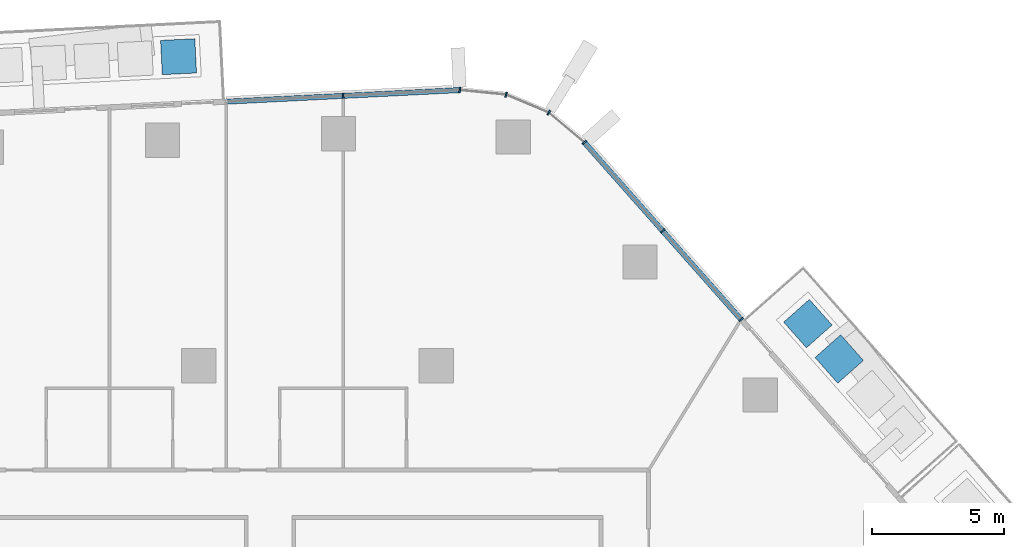
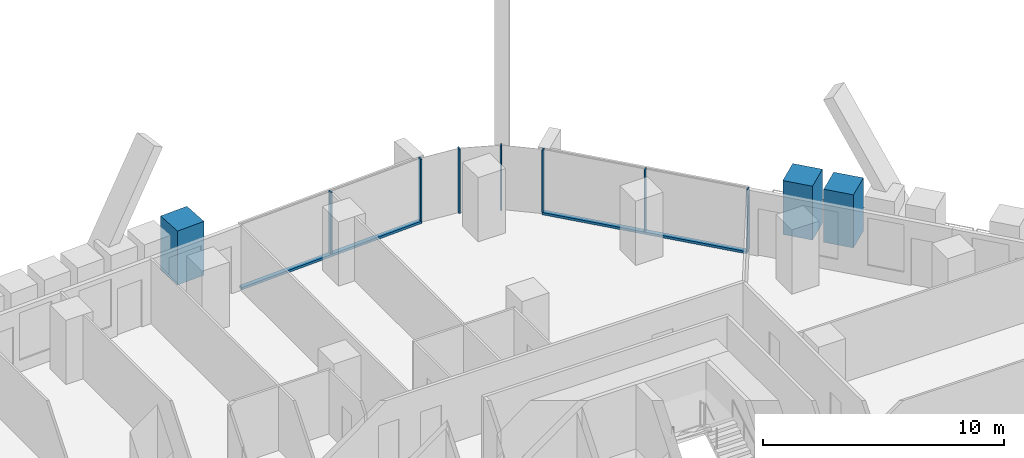
# One storey, part 8 of 26: 12 members, 3 elements without a shape of their own.
"""IFC4 building model written with IfcOpenShell, lengths in metres."""

from ifc_helpers import new_model, si_unit, direction, frame, origin, origin_2d, place, context, subcontext, project, spatial, rectangle, extrude, material, layer, layer_set, material_profile, profile_set, type_object, element, aggregate, save


model = new_model("IFC4")

# Units and contexts
model_context = context("Model", 3, precision=1e-05, world=origin(), true_north=direction((0.0, 1.0)))
body_context = subcontext(model_context, "Body", "Model", "MODEL_VIEW")
ifc_project = project(units=[si_unit("LENGTHUNIT", "METRE"), si_unit("AREAUNIT", "SQUARE_METRE"), si_unit("VOLUMEUNIT", "CUBIC_METRE"), si_unit("PLANEANGLEUNIT", "RADIAN"), si_unit("MASSUNIT", "GRAM", prefix="KILO")], contexts=[model_context])

# Site, building, storey
site_placement = place(None, origin())
site = spatial("IfcSite", under=ifc_project, at=site_placement, CompositionType="ELEMENT")
building_placement = place(site_placement, origin())
building = spatial("IfcBuilding", under=site, at=building_placement, Name="Dongbaek Canopy Tower", CompositionType="ELEMENT")
storey_placement = place(building_placement, frame((0.0, 0.0, 95.199951171875)))
storey = spatial("IfcBuildingStorey", under=building, at=storey_placement, Name="L19", CompositionType="ELEMENT", Elevation=95.199951171875)

# Curtain wall, members
ifc_material_1 = material(Name="Aluminium 6063-T6 pale anodised", Category="aluminium")
ifc_layer = layer(ifc_material_1, 0.199951171875)
ifc_layer_set = layer_set([ifc_layer], Name="CW-1 unitised tower curtain wall")
curtain_wall_type = type_object("IfcCurtainWallType", Name="CW-1 unitised tower curtain wall", PredefinedType="NOTDEFINED", material=ifc_layer_set)
curtain_wall_1_placement = place(storey_placement, origin())
curtain_wall_1 = element("IfcCurtainWall", 1, at=curtain_wall_1_placement, inside=storey, type_object=curtain_wall_type, Name="CW-1 curtain wall F0.1", PredefinedType="NOTDEFINED")
ifc_material_2 = material(Name="Aluminium 6063-T6 pale anodised", Category="aluminium")
ifc_material_profile_1 = material_profile(ifc_material_2, rectangle(XDim=0.199951171875, YDim=0.06005859375, at=origin_2d()), Name="CW-1 mullion 60 x 200")
ifc_profile_set_1 = profile_set([ifc_material_profile_1], Name="Aluminium 6063-T6 pale anodised")
member_type_1 = type_object("IfcMemberType", Name="CW-1 mullion 60 x 200", PredefinedType="MULLION", material=ifc_profile_set_1)
member_1_placement = place(storey_placement, frame((20.55322265625, 19.75830078125, 0.1201171875), z_axis=(0.0, 0.0, 1.0), x_axis=(0.748748761505, 0.662853899547, 0.0)))
member_1 = element("IfcMember", 2, at=member_1_placement, type_object=member_type_1, Name="CW-1 mullion F0.1.1", PredefinedType="MULLION", context=body_context, shape_type="SweptSolid", body=[
    extrude(rectangle(XDim=0.199951171875, YDim=0.06005859375, at=origin_2d()), origin(), (0.0, 0.0, 1.0), 3.1298828125),
])
member_2_placement = place(storey_placement, frame((17.58251953125, 23.1142578125, 0.1201171875), z_axis=(0.0, 0.0, 1.0), x_axis=(0.748748761505, 0.662853899547, 0.0)))
member_2 = element("IfcMember", 3, at=member_2_placement, type_object=member_type_1, Name="CW-1 mullion F0.1.2", PredefinedType="MULLION", context=body_context, shape_type="SweptSolid", body=[
    extrude(rectangle(XDim=0.199951171875, YDim=0.06005859375, at=origin_2d()), origin(), (0.0, 0.0, 1.0), 3.1298828125),
])
member_3_placement = place(storey_placement, frame((14.616455078125, 26.46435546875, 0.1201171875), z_axis=(0.0, 0.0, 1.0), x_axis=(0.748748761505, 0.662853899547, 0.0)))
member_3 = element("IfcMember", 4, at=member_3_placement, type_object=member_type_1, Name="CW-1 mullion F0.1.3", PredefinedType="MULLION", context=body_context, shape_type="SweptSolid", body=[
    extrude(rectangle(XDim=0.199951171875, YDim=0.06005859375, at=origin_2d()), origin(), (0.0, 0.0, 1.0), 3.1298828125),
])

curtain_wall_2_placement = place(storey_placement, origin())
curtain_wall_2 = element("IfcCurtainWall", 5, at=curtain_wall_2_placement, inside=storey, type_object=curtain_wall_type, Name="CW-1 curtain wall K1.1", PredefinedType="NOTDEFINED")
member_4_placement = place(storey_placement, frame((13.26513671875, 27.595458984375, 0.0), z_axis=(0.0, 0.0, 1.0), x_axis=(0.52063580257, 0.853778871302, 0.0)))
member_4 = element("IfcMember", 6, at=member_4_placement, type_object=member_type_1, Name="CW-1 mullion K1.1.2", PredefinedType="MULLION", context=body_context, shape_type="SweptSolid", body=[
    extrude(rectangle(XDim=0.199951171875, YDim=0.06005859375, at=origin_2d()), origin(), (0.0, 0.0, 1.0), 3.25),
])
member_5_placement = place(storey_placement, frame((11.647705078125, 28.276123046875, 0.0), z_axis=(0.0, 0.0, 1.0), x_axis=(0.246452892048, 0.969154771954, 0.0)))
member_5 = element("IfcMember", 7, at=member_5_placement, type_object=member_type_1, Name="CW-1 mullion K1.1.3", PredefinedType="MULLION", context=body_context, shape_type="SweptSolid", body=[
    extrude(rectangle(XDim=0.199951171875, YDim=0.06005859375, at=origin_2d()), origin(), (0.0, 0.0, 1.0), 3.25),
])
member_6_placement = place(storey_placement, frame((9.89404296875, 28.45166015625, 0.0), z_axis=(0.0, 0.0, 1.0), x_axis=(0.099564835385, 0.995031076678, 0.0)))
member_6 = element("IfcMember", 8, at=member_6_placement, type_object=member_type_1, Name="CW-1 mullion K1.1.4", PredefinedType="MULLION", context=body_context, shape_type="SweptSolid", body=[
    extrude(rectangle(XDim=0.199951171875, YDim=0.06005859375, at=origin_2d()), origin(), (0.0, 0.0, 1.0), 3.25),
])
aggregate(curtain_wall_2, [member_4, member_5, member_6])

# Curtain wall, member
curtain_wall_3_placement = place(storey_placement, origin())
curtain_wall_3 = element("IfcCurtainWall", 9, at=curtain_wall_3_placement, inside=storey, type_object=curtain_wall_type, Name="CW-1 curtain wall F1.1", PredefinedType="NOTDEFINED")
member_7_placement = place(storey_placement, frame((5.471923828125, 28.232177734375, 0.1201171875), z_axis=(0.0, 0.0, 1.0), x_axis=(-0.049538109177, 0.998772234165, 0.0)))
member_7 = element("IfcMember", 10, at=member_7_placement, type_object=member_type_1, Name="CW-1 mullion F1.1.2", PredefinedType="MULLION", context=body_context, shape_type="SweptSolid", body=[
    extrude(rectangle(XDim=0.199951171875, YDim=0.06005859375, at=origin_2d()), origin(), (0.0, 0.0, 1.0), 3.1298828125),
])

# Member
ifc_material_3 = material(Name="Aluminium 6063-T6 pale anodised", Category="aluminium")
ifc_material_profile_2 = material_profile(ifc_material_3, rectangle(XDim=0.199951171875, YDim=0.1201171875, at=origin_2d()), Name="CW-1 transom 120 x 200")
ifc_profile_set_2 = profile_set([ifc_material_profile_2], Name="Aluminium 6063-T6 pale anodised")
member_type_2 = type_object("IfcMemberType", Name="CW-1 transom 120 x 200", PredefinedType="USERDEFINED", material=ifc_profile_set_2)
member_8_placement = place(storey_placement, frame((20.55322265625, 19.75830078125, 0.06005859375), z_axis=(-0.662854975581, 0.74874780891, 0.0), x_axis=(-0.74874780891, -0.662854975581, 0.0)))
member_8 = element("IfcMember", 11, at=member_8_placement, type_object=member_type_2, Name="CW-1 transom F0.1.1", ObjectType="TRANSOM", PredefinedType="USERDEFINED", context=body_context, shape_type="SweptSolid", body=[
    extrude(rectangle(XDim=0.199951171875, YDim=0.1201171875, at=origin_2d()), origin(), (0.0, 0.0, 1.0), 8.956298828125),
])

aggregate(curtain_wall_1, [member_1, member_2, member_3, member_8])

member_9_placement = place(storey_placement, frame((9.89404296875, 28.45166015625, 0.06005859375), z_axis=(-0.998771295089, -0.049557038913, 0.0), x_axis=(0.049557038913, -0.998771295089, 0.0)))
member_9 = element("IfcMember", 12, at=member_9_placement, type_object=member_type_2, Name="CW-1 transom F1.1.1", ObjectType="TRANSOM", PredefinedType="USERDEFINED", context=body_context, shape_type="SweptSolid", body=[
    extrude(rectangle(XDim=0.199951171875, YDim=0.1201171875, at=origin_2d()), origin(), (0.0, 0.0, 1.0), 8.86279296875),
])

aggregate(curtain_wall_3, [member_7, member_9])

# Members
ifc_material_4 = material(Name="Concrete C40/50 planter mass with planting", Category="concrete")
ifc_material_profile_3 = material_profile(ifc_material_4, rectangle(XDim=1.300048828125, YDim=1.300048828125, at=origin_2d()), Name="Terrace PLANTER shrub mass 1300 x 1300")
ifc_profile_set_3 = profile_set([ifc_material_profile_3], Name="Concrete C40/50 planter mass with planting")
member_type_3 = type_object("IfcMemberType", Name="Terrace PLANTER shrub mass 1300 x 1300", PredefinedType="USERDEFINED", material=ifc_profile_set_3)
member_10_placement = place(storey_placement, frame((24.27099609375, 18.259521484375, 0.420166015625), z_axis=(0.0, 0.0, 1.0), x_axis=(0.748748761505, 0.662853899547, 0.0)))
element("IfcMember", 13, at=member_10_placement, inside=storey, type_object=member_type_3, Name="Planter shrubs L19 1.3", ObjectType="PLANTER", PredefinedType="USERDEFINED", context=body_context, shape_type="SweptSolid", body=[
    extrude(rectangle(XDim=1.300048828125, YDim=1.300048828125, at=origin_2d()), origin(), (0.0, 0.0, 1.0), 2.68994140625),
])
for number, where, z_axis, x_axis, name in (
    (14, (23.083740234375, 19.600341796875, 0.420166015625), (0.0, 0.0, 1.0), (0.748748761505, 0.662853899547, 0.0), "Planter shrubs L19 1.4"),
    (15, (-0.76611328125, 29.715087890625, 0.420166015625), (0.0, 0.0, 1.0), (-0.049538109177, 0.998772234165, 0.0), "Planter shrubs L19 2.1"),
):
    element("IfcMember", number, at=place(storey_placement, frame(where, z_axis=z_axis, x_axis=x_axis)), inside=storey, type_object=member_type_3, Name=name, ObjectType="PLANTER", PredefinedType="USERDEFINED", context=body_context, shape_type="SweptSolid", body=[
        extrude(rectangle(XDim=1.300048828125, YDim=1.300048828125, at=origin_2d()), origin(), (0.0, 0.0, 1.0), 2.72998046875),
    ])

save(model, "model.ifc")
